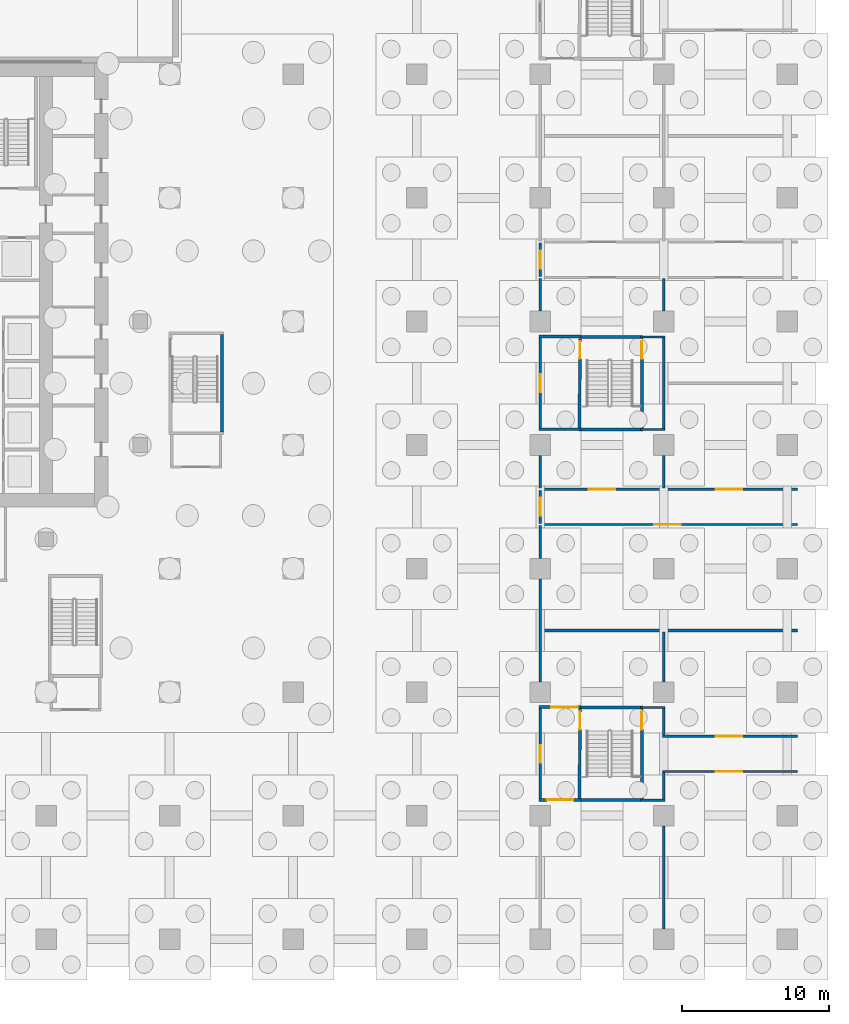
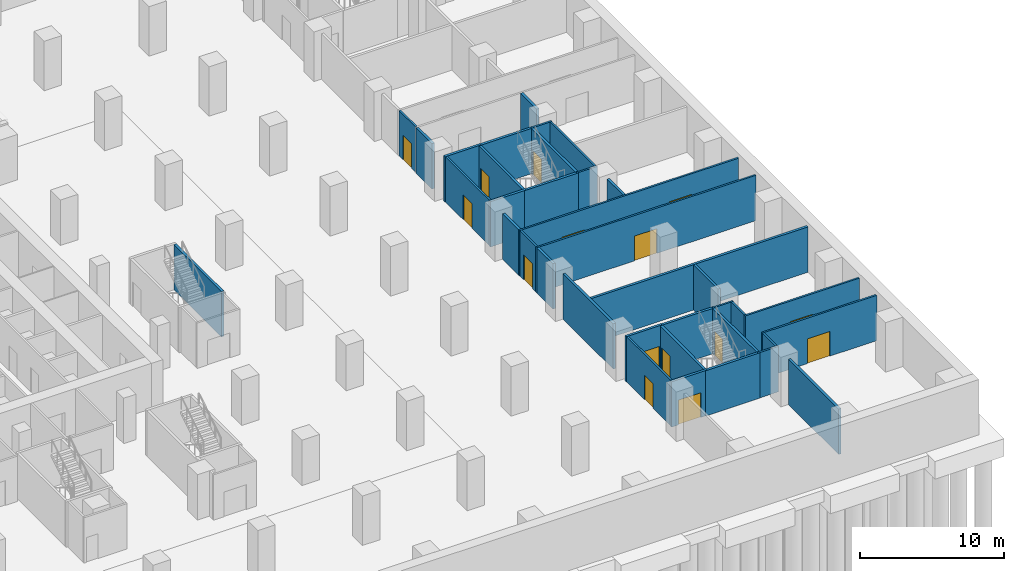
# One storey, part 13 of 22: 37 walls, 15 doors, 15 openings.
"""IFC4 building model written with IfcOpenShell, lengths in metres."""

from ifc_helpers import new_model, si_unit, direction, frame, frame_2d, origin, place, context, subcontext, project, spatial, rectangle, extrude, material, layer, layer_set, type_object, element, fill, save


model = new_model("IFC4")

# Units and contexts
model_context = context("Model", 3, precision=1e-05, world=origin(), true_north=direction((0.0, 1.0)))
body_context = subcontext(model_context, "Body", "Model", "MODEL_VIEW")
ifc_project = project(units=[si_unit("LENGTHUNIT", "METRE"), si_unit("AREAUNIT", "SQUARE_METRE"), si_unit("VOLUMEUNIT", "CUBIC_METRE"), si_unit("PLANEANGLEUNIT", "RADIAN"), si_unit("MASSUNIT", "GRAM", prefix="KILO")], contexts=[model_context])

# Site, building, storey
site_placement = place(None, origin())
site = spatial("IfcSite", under=ifc_project, at=site_placement, CompositionType="ELEMENT")
building_placement = place(site_placement, origin())
building = spatial("IfcBuilding", under=site, at=building_placement, Name="Vermilion Ogive Tower", CompositionType="ELEMENT")
storey_placement = place(building_placement, frame((0.0, 0.0, -8.39990234375)))
storey = spatial("IfcBuildingStorey", under=building, at=storey_placement, Name="B2", CompositionType="ELEMENT", Elevation=-8.39990234375)

# Wall
ifc_material_1 = material(Name="Gypsum board partition on steel studs", Category="steel")
ifc_layer_1 = layer(ifc_material_1, 0.14990234375)
ifc_layer_set_1 = layer_set([ifc_layer_1], Name="Partition 150 corridor")
wall_type_1 = type_object("IfcWallType", Name="Partition 150 corridor", PredefinedType="PARTITIONING", material=ifc_layer_set_1)
wall_1_placement = place(storey_placement, frame((48.824951171875, -28.35009765625, 0.0), z_axis=(0.0, 0.0, 1.0), x_axis=(1.0, 0.0, 0.0)))
element("IfcWall", 1, at=wall_1_placement, inside=storey, type_object=wall_type_1, Name="B2-PK-W-W003", PredefinedType="PARTITIONING", context=body_context, shape_type="SweptSolid", body=[
    extrude(rectangle(XDim=1.675048828125, YDim=0.14990234375, at=frame_2d((0.83740234375, 0.0))), origin(), (0.0, 0.0, 1.0), 3.849853515625),
])

# Wall, opening, door
wall_2_placement = place(storey_placement, frame((50.324951171875, -26.39990234375, 0.0), z_axis=(0.0, 0.0, 1.0), x_axis=(1.0, 0.0, 0.0)))
wall_2 = element("IfcWall", 2, at=wall_2_placement, inside=storey, type_object=wall_type_1, Name="B2-PK-W-W004", PredefinedType="PARTITIONING", context=body_context, shape_type="SweptSolid", body=[
    extrude(rectangle(XDim=9.174072265625, YDim=0.14990234375, at=frame_2d((4.5869140625, 0.0))), origin(), (0.0, 0.0, 1.0), 3.849853515625),
])
opening_1_placement = place(wall_2_placement, frame((3.625, 0.0, 0.0)))
opening_1 = element("IfcOpeningElement", 3, at=opening_1_placement, cuts=wall_2, Name="Opening PK2-33", PredefinedType="OPENING", context=body_context, shape_type="SweptSolid", body=[
    extrude(rectangle(XDim=1.800048828125, YDim=2.10009765625, at=frame_2d((0.89990234375, 1.050048828125))), frame((0.0, 0.0849609375, 0.0), z_axis=(0.0, -1.0, 0.0), x_axis=(1.0, 0.0, 0.0)), (0.0, 0.0, 1.0), 0.169921875),
])
ifc_material_2 = material(Name="Timber door leaf", Category="wood")
door_type_1 = type_object("IfcDoorType", Name="Plant door 1800 x 2100 FD30", OperationType="DOUBLE_DOOR_SINGLE_SWING", PredefinedType="DOOR", material=ifc_material_2)
door_1_placement = place(opening_1_placement, origin())
door_1 = element("IfcDoor", 4, at=door_1_placement, inside=storey, type_object=door_type_1, Name="B2-PK-D-D033", OperationType="DOUBLE_DOOR_SINGLE_SWING", OverallHeight=2.10009765625, OverallWidth=1.800048828125, PredefinedType="DOOR", context=body_context, shape_type="SweptSolid", body=[
    extrude(rectangle(XDim=1.800048828125, YDim=2.10009765625, at=frame_2d((0.89990234375, 1.050048828125))), frame((0.0, 0.02490234375, 0.0), z_axis=(0.0, -1.0, 0.0), x_axis=(1.0, 0.0, 0.0)), (0.0, 0.0, 1.0), 0.050048828125),
])
fill(opening_1, door_1)

wall_3_placement = place(storey_placement, frame((50.324951171875, -24.0, 0.0), z_axis=(0.0, 0.0, 1.0), x_axis=(1.0, 0.0, 0.0)))
wall_3 = element("IfcWall", 5, at=wall_3_placement, inside=storey, type_object=wall_type_1, Name="B2-PK-W-W005", PredefinedType="PARTITIONING", context=body_context, shape_type="SweptSolid", body=[
    extrude(rectangle(XDim=9.174072265625, YDim=0.14990234375, at=frame_2d((4.5869140625, 0.0))), origin(), (0.0, 0.0, 1.0), 3.849853515625),
])
opening_2_placement = place(wall_3_placement, frame((3.625, 0.0, 0.0)))
opening_2 = element("IfcOpeningElement", 6, at=opening_2_placement, cuts=wall_3, Name="Opening PK2-19", PredefinedType="OPENING", context=body_context, shape_type="SweptSolid", body=[
    extrude(rectangle(XDim=1.800048828125, YDim=2.10009765625, at=frame_2d((0.89990234375, 1.050048828125))), frame((0.0, 0.0849609375, 0.0), z_axis=(0.0, -1.0, 0.0), x_axis=(1.0, 0.0, 0.0)), (0.0, 0.0, 1.0), 0.169921875),
])
door_2_placement = place(opening_2_placement, origin())
door_2 = element("IfcDoor", 7, at=door_2_placement, inside=storey, type_object=door_type_1, Name="B2-PK-D-D019", OperationType="DOUBLE_DOOR_SINGLE_SWING", OverallHeight=2.10009765625, OverallWidth=1.800048828125, PredefinedType="DOOR", context=body_context, shape_type="SweptSolid", body=[
    extrude(rectangle(XDim=1.800048828125, YDim=2.10009765625, at=frame_2d((0.89990234375, 1.050048828125))), frame((0.0, 0.02490234375, 0.0), z_axis=(0.0, -1.0, 0.0), x_axis=(1.0, 0.0, 0.0)), (0.0, 0.0, 1.0), 0.050048828125),
])
fill(opening_2, door_2)

# Wall
wall_4_placement = place(storey_placement, frame((48.824951171875, -22.050048828125, 0.0), z_axis=(0.0, 0.0, 1.0), x_axis=(1.0, 0.0, 0.0)))
element("IfcWall", 8, at=wall_4_placement, inside=storey, type_object=wall_type_1, Name="B2-PK-W-W011", PredefinedType="PARTITIONING", context=body_context, shape_type="SweptSolid", body=[
    extrude(rectangle(XDim=1.675048828125, YDim=0.14990234375, at=frame_2d((0.83740234375, 0.0))), origin(), (0.0, 0.0, 1.0), 3.849853515625),
])

# Wall, opening, door
wall_5_placement = place(storey_placement, frame((41.89990234375, -9.60009765625, 0.0), z_axis=(0.0, 0.0, 1.0), x_axis=(1.0, 0.0, 0.0)))
wall_5 = element("IfcWall", 9, at=wall_5_placement, inside=storey, type_object=wall_type_1, Name="B2-PK-W-W015", PredefinedType="PARTITIONING", context=body_context, shape_type="SweptSolid", body=[
    extrude(rectangle(XDim=17.59912109375, YDim=0.14990234375, at=frame_2d((8.799560546875, 0.0))), origin(), (0.0, 0.0, 1.0), 3.849853515625),
])
opening_3_placement = place(wall_5_placement, frame((7.85009765625, 0.0, 0.0)))
opening_3 = element("IfcOpeningElement", 10, at=opening_3_placement, cuts=wall_5, Name="Opening PK2-20", PredefinedType="OPENING", context=body_context, shape_type="SweptSolid", body=[
    extrude(rectangle(XDim=1.800048828125, YDim=2.10009765625, at=frame_2d((0.89990234375, 1.050048828125))), frame((0.0, 0.0849609375, 0.0), z_axis=(0.0, -1.0, 0.0), x_axis=(1.0, 0.0, 0.0)), (0.0, 0.0, 1.0), 0.169921875),
])
door_3_placement = place(opening_3_placement, origin())
door_3 = element("IfcDoor", 11, at=door_3_placement, inside=storey, type_object=door_type_1, Name="B2-PK-D-D020", OperationType="DOUBLE_DOOR_SINGLE_SWING", OverallHeight=2.10009765625, OverallWidth=1.800048828125, PredefinedType="DOOR", context=body_context, shape_type="SweptSolid", body=[
    extrude(rectangle(XDim=1.800048828125, YDim=2.10009765625, at=frame_2d((0.89990234375, 1.050048828125))), frame((0.0, 0.02490234375, 0.0), z_axis=(0.0, -1.0, 0.0), x_axis=(1.0, 0.0, 0.0)), (0.0, 0.0, 1.0), 0.050048828125),
])
fill(opening_3, door_3)

# Wall, openings, doors
wall_6_placement = place(storey_placement, frame((41.89990234375, -7.199951171875, 0.0), z_axis=(0.0, 0.0, 1.0), x_axis=(1.0, 0.0, 0.0)))
wall_6 = element("IfcWall", 12, at=wall_6_placement, inside=storey, type_object=wall_type_1, Name="B2-PK-W-W016", PredefinedType="PARTITIONING", context=body_context, shape_type="SweptSolid", body=[
    extrude(rectangle(XDim=17.59912109375, YDim=0.14990234375, at=frame_2d((8.799560546875, 0.0))), origin(), (0.0, 0.0, 1.0), 3.849853515625),
])
opening_4_placement = place(wall_6_placement, frame((3.400146484375, 0.0, 0.0)))
opening_4 = element("IfcOpeningElement", 13, at=opening_4_placement, cuts=wall_6, Name="Opening PK2-21", PredefinedType="OPENING", context=body_context, shape_type="SweptSolid", body=[
    extrude(rectangle(XDim=1.800048828125, YDim=2.10009765625, at=frame_2d((0.89990234375, 1.050048828125))), frame((0.0, 0.0849609375, 0.0), z_axis=(0.0, -1.0, 0.0), x_axis=(1.0, 0.0, 0.0)), (0.0, 0.0, 1.0), 0.169921875),
])
opening_5_placement = place(wall_6_placement, frame((12.050048828125, 0.0, 0.0)))
opening_5 = element("IfcOpeningElement", 14, at=opening_5_placement, cuts=wall_6, Name="Opening PK2-22", PredefinedType="OPENING", context=body_context, shape_type="SweptSolid", body=[
    extrude(rectangle(XDim=1.800048828125, YDim=2.10009765625, at=frame_2d((0.89990234375, 1.050048828125))), frame((0.0, 0.0849609375, 0.0), z_axis=(0.0, -1.0, 0.0), x_axis=(1.0, 0.0, 0.0)), (0.0, 0.0, 1.0), 0.169921875),
])
door_4_placement = place(opening_4_placement, origin())
door_4 = element("IfcDoor", 15, at=door_4_placement, inside=storey, type_object=door_type_1, Name="B2-PK-D-D021", OperationType="DOUBLE_DOOR_SINGLE_SWING", OverallHeight=2.10009765625, OverallWidth=1.800048828125, PredefinedType="DOOR", context=body_context, shape_type="SweptSolid", body=[
    extrude(rectangle(XDim=1.800048828125, YDim=2.10009765625, at=frame_2d((0.89990234375, 1.050048828125))), frame((0.0, 0.02490234375, 0.0), z_axis=(0.0, -1.0, 0.0), x_axis=(1.0, 0.0, 0.0)), (0.0, 0.0, 1.0), 0.050048828125),
])
fill(opening_4, door_4)
door_5_placement = place(opening_5_placement, origin())
door_5 = element("IfcDoor", 16, at=door_5_placement, inside=storey, type_object=door_type_1, Name="B2-PK-D-D022", OperationType="DOUBLE_DOOR_SINGLE_SWING", OverallHeight=2.10009765625, OverallWidth=1.800048828125, PredefinedType="DOOR", context=body_context, shape_type="SweptSolid", body=[
    extrude(rectangle(XDim=1.800048828125, YDim=2.10009765625, at=frame_2d((0.89990234375, 1.050048828125))), frame((0.0, 0.02490234375, 0.0), z_axis=(0.0, -1.0, 0.0), x_axis=(1.0, 0.0, 0.0)), (0.0, 0.0, 1.0), 0.050048828125),
])
fill(opening_5, door_5)

# Walls
for number, where, z_axis, x_axis, name in (
    (17, (48.824951171875, -3.14990234375, 0.0), (0.0, 0.0, 1.0), (1.0, 0.0, 0.0), "B2-PK-W-W021"),
    (18, (48.824951171875, 3.14990234375, 0.0), (0.0, 0.0, 1.0), (1.0, 0.0, 0.0), "B2-PK-W-W025"),
):
    element("IfcWall", number, at=place(storey_placement, frame(where, z_axis=z_axis, x_axis=x_axis)), inside=storey, type_object=wall_type_1, Name=name, PredefinedType="PARTITIONING", context=body_context, shape_type="SweptSolid", body=[
        extrude(rectangle(XDim=1.675048828125, YDim=0.14990234375, at=frame_2d((0.83740234375, 0.0))), origin(), (0.0, 0.0, 1.0), 3.849853515625),
    ])

# Wall, opening, door
wall_7_placement = place(storey_placement, frame((42.0, -28.27490234375, 0.0), z_axis=(0.0, 0.0, 1.0), x_axis=(0.0, 1.0, 0.0)))
wall_7 = element("IfcWall", 19, at=wall_7_placement, inside=storey, type_object=wall_type_1, Name="B2-PK-W-W052", PredefinedType="PARTITIONING", context=body_context, shape_type="SweptSolid", body=[
    extrude(rectangle(XDim=6.14990234375, YDim=0.14990234375, at=frame_2d((3.074951171875, 0.0))), origin(), (0.0, 0.0, 1.0), 3.849853515625),
])
opening_6_placement = place(wall_7_placement, frame((2.474853515625, 0.0, 0.0)))
opening_6 = element("IfcOpeningElement", 20, at=opening_6_placement, cuts=wall_7, Name="Opening PK2-14", PredefinedType="OPENING", context=body_context, shape_type="SweptSolid", body=[
    extrude(rectangle(XDim=1.199951171875, YDim=2.10009765625, at=frame_2d((0.60009765625, 1.050048828125))), frame((0.0, 0.0849609375, 0.0), z_axis=(0.0, -1.0, 0.0), x_axis=(1.0, 0.0, 0.0)), (0.0, 0.0, 1.0), 0.169921875),
])
ifc_material_3 = material(Name="Timber door leaf", Category="wood")
door_type_2 = type_object("IfcDoorType", Name="Stair door 1200 x 2100 FD60S", OperationType="SINGLE_SWING_LEFT", PredefinedType="DOOR", material=ifc_material_3)
door_6_placement = place(opening_6_placement, origin())
door_6 = element("IfcDoor", 21, at=door_6_placement, inside=storey, type_object=door_type_2, Name="B2-PK-D-D014", OperationType="DOUBLE_DOOR_SINGLE_SWING", OverallHeight=2.10009765625, OverallWidth=1.199951171875, PredefinedType="DOOR", context=body_context, shape_type="SweptSolid", body=[
    extrude(rectangle(XDim=1.199951171875, YDim=2.10009765625, at=frame_2d((0.60009765625, 1.050048828125))), frame((0.0, 0.02490234375, 0.0), z_axis=(0.0, -1.0, 0.0), x_axis=(1.0, 0.0, 0.0)), (0.0, 0.0, 1.0), 0.050048828125),
])
fill(opening_6, door_6)

wall_8_placement = place(storey_placement, frame((42.0, -9.52490234375, 0.0), z_axis=(0.0, 0.0, 1.0), x_axis=(0.0, 1.0, 0.0)))
wall_8 = element("IfcWall", 22, at=wall_8_placement, inside=storey, type_object=wall_type_1, Name="B2-PK-W-W054", PredefinedType="PARTITIONING", context=body_context, shape_type="SweptSolid", body=[
    extrude(rectangle(XDim=2.25, YDim=0.14990234375, at=frame_2d((1.125, 0.0))), origin(), (0.0, 0.0, 1.0), 3.849853515625),
])
opening_7_placement = place(wall_8_placement, frame((0.52490234375, 0.0, 0.0)))
opening_7 = element("IfcOpeningElement", 23, at=opening_7_placement, cuts=wall_8, Name="Opening PK2-31", PredefinedType="OPENING", context=body_context, shape_type="SweptSolid", body=[
    extrude(rectangle(XDim=1.199951171875, YDim=2.10009765625, at=frame_2d((0.60009765625, 1.050048828125))), frame((0.0, 0.0849609375, 0.0), z_axis=(0.0, -1.0, 0.0), x_axis=(1.0, 0.0, 0.0)), (0.0, 0.0, 1.0), 0.169921875),
])
ifc_material_4 = material(Name="Timber door leaf", Category="wood")
door_type_3 = type_object("IfcDoorType", Name="Fire door 1200 x 2100 FD30", OperationType="SINGLE_SWING_LEFT", PredefinedType="DOOR", material=ifc_material_4)
door_7_placement = place(opening_7_placement, origin())
door_7 = element("IfcDoor", 24, at=door_7_placement, inside=storey, type_object=door_type_3, Name="B2-PK-D-D031", OperationType="SINGLE_SWING_RIGHT", OverallHeight=2.10009765625, OverallWidth=1.199951171875, PredefinedType="DOOR", context=body_context, shape_type="SweptSolid", body=[
    extrude(rectangle(XDim=1.199951171875, YDim=2.10009765625, at=frame_2d((0.60009765625, 1.050048828125))), frame((0.0, 0.02490234375, 0.0), z_axis=(0.0, -1.0, 0.0), x_axis=(1.0, 0.0, 0.0)), (0.0, 0.0, 1.0), 0.050048828125),
])
fill(opening_7, door_7)

wall_9_placement = place(storey_placement, frame((42.0, -3.074951171875, 0.0), z_axis=(0.0, 0.0, 1.0), x_axis=(0.0, 1.0, 0.0)))
wall_9 = element("IfcWall", 25, at=wall_9_placement, inside=storey, type_object=wall_type_1, Name="B2-PK-W-W056", PredefinedType="PARTITIONING", context=body_context, shape_type="SweptSolid", body=[
    extrude(rectangle(XDim=6.14990234375, YDim=0.14990234375, at=frame_2d((3.074951171875, 0.0))), origin(), (0.0, 0.0, 1.0), 3.849853515625),
])
opening_8_placement = place(wall_9_placement, frame((2.474853515625, 0.0, 0.0)))
opening_8 = element("IfcOpeningElement", 26, at=opening_8_placement, cuts=wall_9, Name="Opening PK2-08", PredefinedType="OPENING", context=body_context, shape_type="SweptSolid", body=[
    extrude(rectangle(XDim=1.199951171875, YDim=2.10009765625, at=frame_2d((0.60009765625, 1.050048828125))), frame((0.0, 0.0849609375, 0.0), z_axis=(0.0, -1.0, 0.0), x_axis=(1.0, 0.0, 0.0)), (0.0, 0.0, 1.0), 0.169921875),
])
door_8_placement = place(opening_8_placement, origin())
door_8 = element("IfcDoor", 27, at=door_8_placement, inside=storey, type_object=door_type_2, Name="B2-PK-D-D008", OperationType="DOUBLE_DOOR_SINGLE_SWING", OverallHeight=2.10009765625, OverallWidth=1.199951171875, PredefinedType="DOOR", context=body_context, shape_type="SweptSolid", body=[
    extrude(rectangle(XDim=1.199951171875, YDim=2.10009765625, at=frame_2d((0.60009765625, 1.050048828125))), frame((0.0, 0.02490234375, 0.0), z_axis=(0.0, -1.0, 0.0), x_axis=(1.0, 0.0, 0.0)), (0.0, 0.0, 1.0), 0.050048828125),
])
fill(opening_8, door_8)

wall_10_placement = place(storey_placement, frame((42.0, 7.27490234375, 0.0), z_axis=(0.0, 0.0, 1.0), x_axis=(0.0, 1.0, 0.0)))
wall_10 = element("IfcWall", 28, at=wall_10_placement, inside=storey, type_object=wall_type_1, Name="B2-PK-W-W058", PredefinedType="PARTITIONING", context=body_context, shape_type="SweptSolid", body=[
    extrude(rectangle(XDim=2.25, YDim=0.14990234375, at=frame_2d((1.125, 0.0))), origin(), (0.0, 0.0, 1.0), 3.849853515625),
])
opening_9_placement = place(wall_10_placement, frame((0.525146484375, 0.0, 0.0)))
opening_9 = element("IfcOpeningElement", 29, at=opening_9_placement, cuts=wall_10, Name="Opening PK2-32", PredefinedType="OPENING", context=body_context, shape_type="SweptSolid", body=[
    extrude(rectangle(XDim=1.199951171875, YDim=2.10009765625, at=frame_2d((0.60009765625, 1.050048828125))), frame((0.0, 0.0849609375, 0.0), z_axis=(0.0, -1.0, 0.0), x_axis=(1.0, 0.0, 0.0)), (0.0, 0.0, 1.0), 0.169921875),
])
door_9_placement = place(opening_9_placement, origin())
door_9 = element("IfcDoor", 30, at=door_9_placement, inside=storey, type_object=door_type_3, Name="B2-PK-D-D032", OperationType="SINGLE_SWING_LEFT", OverallHeight=2.10009765625, OverallWidth=1.199951171875, PredefinedType="DOOR", context=body_context, shape_type="SweptSolid", body=[
    extrude(rectangle(XDim=1.199951171875, YDim=2.10009765625, at=frame_2d((0.60009765625, 1.050048828125))), frame((0.0, 0.02490234375, 0.0), z_axis=(0.0, -1.0, 0.0), x_axis=(1.0, 0.0, 0.0)), (0.0, 0.0, 1.0), 0.050048828125),
])
fill(opening_9, door_9)

# Walls
wall_11_placement = place(storey_placement, frame((50.39990234375, -28.27490234375, 0.0), z_axis=(0.0, 0.0, 1.0), x_axis=(0.0, 1.0, 0.0)))
element("IfcWall", 31, at=wall_11_placement, inside=storey, type_object=wall_type_1, Name="B2-PK-W-W069", PredefinedType="PARTITIONING", context=body_context, shape_type="SweptSolid", body=[
    extrude(rectangle(XDim=1.7998046875, YDim=0.14990234375, at=frame_2d((0.89990234375, 0.0))), origin(), (0.0, 0.0, 1.0), 3.849853515625),
])
wall_12_placement = place(storey_placement, frame((50.39990234375, -23.925048828125, 0.0), z_axis=(0.0, 0.0, 1.0), x_axis=(0.0, 1.0, 0.0)))
element("IfcWall", 32, at=wall_12_placement, inside=storey, type_object=wall_type_1, Name="B2-PK-W-W070", PredefinedType="PARTITIONING", context=body_context, shape_type="SweptSolid", body=[
    extrude(rectangle(XDim=1.800048828125, YDim=0.14990234375, at=frame_2d((0.89990234375, 0.0))), origin(), (0.0, 0.0, 1.0), 3.849853515625),
])
wall_13_placement = place(storey_placement, frame((50.39990234375, -3.074951171875, 0.0), z_axis=(0.0, 0.0, 1.0), x_axis=(0.0, 1.0, 0.0)))
element("IfcWall", 33, at=wall_13_placement, inside=storey, type_object=wall_type_1, Name="B2-PK-W-W073", PredefinedType="PARTITIONING", context=body_context, shape_type="SweptSolid", body=[
    extrude(rectangle(XDim=6.14990234375, YDim=0.14990234375, at=frame_2d((3.074951171875, 0.0))), origin(), (0.0, 0.0, 1.0), 3.849853515625),
])
ifc_material_5 = material(Name="Gypsum board partition on steel studs", Category="steel")
ifc_layer_2 = layer(ifc_material_5, 0.199951171875)
ifc_layer_set_2 = layer_set([ifc_layer_2], Name="Partition 200 party")
wall_type_2 = type_object("IfcWallType", Name="Partition 200 party", PredefinedType="PARTITIONING", material=ifc_layer_set_2)
wall_14_placement = place(storey_placement, frame((42.10009765625, -16.800048828125, 0.0), z_axis=(0.0, 0.0, 1.0), x_axis=(1.0, 0.0, 0.0)))
element("IfcWall", 34, at=wall_14_placement, inside=storey, type_object=wall_type_2, Name="B2-PK-W-W012", PredefinedType="PARTITIONING", context=body_context, shape_type="SweptSolid", body=[
    extrude(rectangle(XDim=17.39892578125, YDim=0.199951171875, at=frame_2d((8.699462890625, 0.0))), origin(), (0.0, 0.0, 1.0), 3.849853515625),
])
wall_15_placement = place(storey_placement, frame((42.0, -20.300048828125, 0.0), z_axis=(0.0, 0.0, 1.0), x_axis=(0.0, 1.0, 0.0)))
element("IfcWall", 35, at=wall_15_placement, inside=storey, type_object=wall_type_2, Name="B2-PK-W-W053a", PredefinedType="PARTITIONING", context=body_context, shape_type="SweptSolid", body=[
    extrude(rectangle(XDim=7.0, YDim=0.199951171875, at=frame_2d((3.5, 0.0))), origin(), (0.0, 0.0, 1.0), 3.849853515625),
])
wall_16_placement = place(storey_placement, frame((42.0, -11.89990234375, 0.0), z_axis=(0.0, 0.0, 1.0), x_axis=(0.0, 1.0, 0.0)))
element("IfcWall", 36, at=wall_16_placement, inside=storey, type_object=wall_type_2, Name="B2-PK-W-W053b", PredefinedType="PARTITIONING", context=body_context, shape_type="SweptSolid", body=[
    extrude(rectangle(XDim=2.224853515625, YDim=0.199951171875, at=frame_2d((1.1123046875, 0.0))), origin(), (0.0, 0.0, 1.0), 3.849853515625),
])
for number, where, z_axis, x_axis, name in (
    (37, (42.0, -7.125, 0.0), (0.0, 0.0, 1.0), (0.0, 1.0, 0.0), "B2-PK-W-W055a"),
    (38, (42.0, 4.89990234375, 0.0), (0.0, 0.0, 1.0), (0.0, 1.0, 0.0), "B2-PK-W-W057a"),
):
    element("IfcWall", number, at=place(storey_placement, frame(where, z_axis=z_axis, x_axis=x_axis)), inside=storey, type_object=wall_type_2, Name=name, PredefinedType="PARTITIONING", context=body_context, shape_type="SweptSolid", body=[
        extrude(rectangle(XDim=2.22509765625, YDim=0.199951171875, at=frame_2d((1.112548828125, 0.0))), origin(), (0.0, 0.0, 1.0), 3.849853515625),
    ])
wall_17_placement = place(storey_placement, frame((50.39990234375, -37.10009765625, 0.0), z_axis=(0.0, 0.0, 1.0), x_axis=(0.0, 1.0, 0.0)))
element("IfcWall", 39, at=wall_17_placement, inside=storey, type_object=wall_type_2, Name="B2-PK-W-W068a", PredefinedType="PARTITIONING", context=body_context, shape_type="SweptSolid", body=[
    extrude(rectangle(XDim=7.0, YDim=0.199951171875, at=frame_2d((3.5, 0.0))), origin(), (0.0, 0.0, 1.0), 3.849853515625),
])
wall_18_placement = place(storey_placement, frame((50.39990234375, -20.300048828125, 0.0), z_axis=(0.0, 0.0, 1.0), x_axis=(0.0, 1.0, 0.0)))
element("IfcWall", 40, at=wall_18_placement, inside=storey, type_object=wall_type_2, Name="B2-PK-W-W071a", PredefinedType="PARTITIONING", context=body_context, shape_type="SweptSolid", body=[
    extrude(rectangle(XDim=3.400146484375, YDim=0.199951171875, at=frame_2d((1.7001953125, 0.0))), origin(), (0.0, 0.0, 1.0), 3.849853515625),
])
for number, where, z_axis, x_axis, name in (
    (41, (50.39990234375, -7.125, 0.0), (0.0, 0.0, 1.0), (0.0, 1.0, 0.0), "B2-PK-W-W072a"),
    (42, (50.39990234375, 4.89990234375, 0.0), (0.0, 0.0, 1.0), (0.0, 1.0, 0.0), "B2-PK-W-W074a"),
):
    element("IfcWall", number, at=place(storey_placement, frame(where, z_axis=z_axis, x_axis=x_axis)), inside=storey, type_object=wall_type_2, Name=name, PredefinedType="PARTITIONING", context=body_context, shape_type="SweptSolid", body=[
        extrude(rectangle(XDim=2.22509765625, YDim=0.199951171875, at=frame_2d((1.112548828125, 0.0))), origin(), (0.0, 0.0, 1.0), 3.849853515625),
    ])

# Wall, opening, door
ifc_material_6 = material(Name="Concrete B60", Category="concrete")
ifc_layer_3 = layer(ifc_material_6, 0.199951171875)
ifc_layer_set_3 = layer_set([ifc_layer_3], Name="Stair shaft wall 200 Concrete B60")
wall_type_3 = type_object("IfcWallType", Name="Stair shaft wall 200 Concrete B60", PredefinedType="SOLIDWALL", material=ifc_layer_set_3)
wall_19_placement = place(storey_placement, frame((41.89990234375, -28.3251953125, 0.0), z_axis=(0.0, 0.0, 1.0), x_axis=(1.0, 0.0, 0.0)))
wall_19 = element("IfcWall", 43, at=wall_19_placement, inside=storey, type_object=wall_type_3, Name="B2-PK-W-W001", PredefinedType="SOLIDWALL", context=body_context, shape_type="SweptSolid", body=[
    extrude(rectangle(XDim=2.875, YDim=0.199951171875, at=frame_2d((1.4375, 0.0))), origin(), (0.0, 0.0, 1.0), 3.849853515625),
])
opening_10_placement = place(wall_19_placement, frame((0.550048828125, 0.0, 0.0)))
opening_10 = element("IfcOpeningElement", 44, at=opening_10_placement, cuts=wall_19, Name="Opening PK2-17", PredefinedType="OPENING", context=body_context, shape_type="SweptSolid", body=[
    extrude(rectangle(XDim=1.800048828125, YDim=2.10009765625, at=frame_2d((0.89990234375, 1.050048828125))), frame((0.0, 0.10986328125, 0.0), z_axis=(0.0, -1.0, 0.0), x_axis=(1.0, 0.0, 0.0)), (0.0, 0.0, 1.0), 0.219970703125),
])
door_10_placement = place(opening_10_placement, origin())
door_10 = element("IfcDoor", 45, at=door_10_placement, inside=storey, type_object=door_type_1, Name="B2-PK-D-D017", OperationType="DOUBLE_DOOR_SINGLE_SWING", OverallHeight=2.10009765625, OverallWidth=1.800048828125, PredefinedType="DOOR", context=body_context, shape_type="SweptSolid", body=[
    extrude(rectangle(XDim=1.800048828125, YDim=2.10009765625, at=frame_2d((0.89990234375, 1.050048828125))), frame((0.0, 0.02490234375, 0.0), z_axis=(0.0, -1.0, 0.0), x_axis=(1.0, 0.0, 0.0)), (0.0, 0.0, 1.0), 0.050048828125),
])
fill(opening_10, door_10)

# Wall
wall_20_placement = place(storey_placement, frame((44.625, -28.35009765625, 0.0), z_axis=(0.0, 0.0, 1.0), x_axis=(1.0, 0.0, 0.0)))
element("IfcWall", 46, at=wall_20_placement, inside=storey, type_object=wall_type_3, Name="B2-PK-W-W002", PredefinedType="SOLIDWALL", context=body_context, shape_type="SweptSolid", body=[
    extrude(rectangle(XDim=4.35009765625, YDim=0.199951171875, at=frame_2d((2.175048828125, 0.0))), origin(), (0.0, 0.0, 1.0), 3.849853515625),
])

# Wall, opening, door
wall_21_placement = place(storey_placement, frame((41.89990234375, -22.025146484375, 0.0), z_axis=(0.0, 0.0, 1.0), x_axis=(1.0, 0.0, 0.0)))
wall_21 = element("IfcWall", 47, at=wall_21_placement, inside=storey, type_object=wall_type_3, Name="B2-PK-W-W009", PredefinedType="SOLIDWALL", context=body_context, shape_type="SweptSolid", body=[
    extrude(rectangle(XDim=2.875, YDim=0.199951171875, at=frame_2d((1.4375, 0.0))), origin(), (0.0, 0.0, 1.0), 3.849853515625),
])
opening_11_placement = place(wall_21_placement, frame((0.85009765625, 0.0, 0.0)))
opening_11 = element("IfcOpeningElement", 48, at=opening_11_placement, cuts=wall_21, Name="Opening PK2-18", PredefinedType="OPENING", context=body_context, shape_type="SweptSolid", body=[
    extrude(rectangle(XDim=1.800048828125, YDim=2.10009765625, at=frame_2d((0.89990234375, 1.050048828125))), frame((0.0, 0.10986328125, 0.0), z_axis=(0.0, -1.0, 0.0), x_axis=(1.0, 0.0, 0.0)), (0.0, 0.0, 1.0), 0.219970703125),
])
door_11_placement = place(opening_11_placement, origin())
door_11 = element("IfcDoor", 49, at=door_11_placement, inside=storey, type_object=door_type_1, Name="B2-PK-D-D018", OperationType="DOUBLE_DOOR_SINGLE_SWING", OverallHeight=2.10009765625, OverallWidth=1.800048828125, PredefinedType="DOOR", context=body_context, shape_type="SweptSolid", body=[
    extrude(rectangle(XDim=1.800048828125, YDim=2.10009765625, at=frame_2d((0.89990234375, 1.050048828125))), frame((0.0, 0.02490234375, 0.0), z_axis=(0.0, -1.0, 0.0), x_axis=(1.0, 0.0, 0.0)), (0.0, 0.0, 1.0), 0.050048828125),
])
fill(opening_11, door_11)

# Walls
wall_22_placement = place(storey_placement, frame((44.625, -22.050048828125, 0.0), z_axis=(0.0, 0.0, 1.0), x_axis=(1.0, 0.0, 0.0)))
element("IfcWall", 50, at=wall_22_placement, inside=storey, type_object=wall_type_3, Name="B2-PK-W-W010", PredefinedType="SOLIDWALL", context=body_context, shape_type="SweptSolid", body=[
    extrude(rectangle(XDim=4.35009765625, YDim=0.199951171875, at=frame_2d((2.175048828125, 0.0))), origin(), (0.0, 0.0, 1.0), 3.849853515625),
])
wall_23_placement = place(storey_placement, frame((41.89990234375, -3.125, 0.0), z_axis=(0.0, 0.0, 1.0), x_axis=(1.0, 0.0, 0.0)))
element("IfcWall", 51, at=wall_23_placement, inside=storey, type_object=wall_type_3, Name="B2-PK-W-W019", PredefinedType="SOLIDWALL", context=body_context, shape_type="SweptSolid", body=[
    extrude(rectangle(XDim=2.875, YDim=0.199951171875, at=frame_2d((1.4375, 0.0))), origin(), (0.0, 0.0, 1.0), 3.849853515625),
])
wall_24_placement = place(storey_placement, frame((44.625, -3.14990234375, 0.0), z_axis=(0.0, 0.0, 1.0), x_axis=(1.0, 0.0, 0.0)))
element("IfcWall", 52, at=wall_24_placement, inside=storey, type_object=wall_type_3, Name="B2-PK-W-W020", PredefinedType="SOLIDWALL", context=body_context, shape_type="SweptSolid", body=[
    extrude(rectangle(XDim=4.35009765625, YDim=0.199951171875, at=frame_2d((2.175048828125, 0.0))), origin(), (0.0, 0.0, 1.0), 3.849853515625),
])
wall_25_placement = place(storey_placement, frame((41.89990234375, 3.1748046875, 0.0), z_axis=(0.0, 0.0, 1.0), x_axis=(1.0, 0.0, 0.0)))
element("IfcWall", 53, at=wall_25_placement, inside=storey, type_object=wall_type_3, Name="B2-PK-W-W023", PredefinedType="SOLIDWALL", context=body_context, shape_type="SweptSolid", body=[
    extrude(rectangle(XDim=2.875, YDim=0.199951171875, at=frame_2d((1.4375, 0.0))), origin(), (0.0, 0.0, 1.0), 3.849853515625),
])
wall_26_placement = place(storey_placement, frame((44.625, 3.14990234375, 0.0), z_axis=(0.0, 0.0, 1.0), x_axis=(1.0, 0.0, 0.0)))
element("IfcWall", 54, at=wall_26_placement, inside=storey, type_object=wall_type_3, Name="B2-PK-W-W024", PredefinedType="SOLIDWALL", context=body_context, shape_type="SweptSolid", body=[
    extrude(rectangle(XDim=4.35009765625, YDim=0.199951171875, at=frame_2d((2.175048828125, 0.0))), origin(), (0.0, 0.0, 1.0), 3.849853515625),
])

# Wall, opening, door
wall_27_placement = place(storey_placement, frame((44.675048828125, -28.25, 0.0), z_axis=(0.0, 0.0, 1.0), x_axis=(0.004098985015, 0.999991599126, 0.0)))
wall_27 = element("IfcWall", 55, at=wall_27_placement, inside=storey, type_object=wall_type_3, Name="B2-PK-W-W062", PredefinedType="SOLIDWALL", context=body_context, shape_type="SweptSolid", body=[
    extrude(rectangle(XDim=6.0751953125, YDim=0.199951171875, at=frame_2d((3.03759765625, 0.0))), origin(), (0.0, 0.0, 1.0), 3.849853515625),
])
opening_12_placement = place(wall_27_placement, frame((4.7001953125, 0.0, 0.0)))
opening_12 = element("IfcOpeningElement", 56, at=opening_12_placement, cuts=wall_27, Name="Opening PK2-15", PredefinedType="OPENING", context=body_context, shape_type="SweptSolid", body=[
    extrude(rectangle(XDim=1.199951171875, YDim=2.10009765625, at=frame_2d((0.60009765625, 1.050048828125))), frame((0.0, 0.10986328125, 0.0), z_axis=(0.0, -1.0, 0.0), x_axis=(1.0, 0.0, 0.0)), (0.0, 0.0, 1.0), 0.219970703125),
])
door_12_placement = place(opening_12_placement, origin())
door_12 = element("IfcDoor", 57, at=door_12_placement, inside=storey, type_object=door_type_2, Name="B2-PK-D-D015", OperationType="DOUBLE_DOOR_SINGLE_SWING", OverallHeight=2.10009765625, OverallWidth=1.199951171875, PredefinedType="DOOR", context=body_context, shape_type="SweptSolid", body=[
    extrude(rectangle(XDim=1.199951171875, YDim=2.10009765625, at=frame_2d((0.60009765625, 1.050048828125))), frame((0.0, 0.02490234375, 0.0), z_axis=(0.0, -1.0, 0.0), x_axis=(1.0, 0.0, 0.0)), (0.0, 0.0, 1.0), 0.050048828125),
])
fill(opening_12, door_12)

wall_28_placement = place(storey_placement, frame((44.675048828125, -3.050048828125, 0.0), z_axis=(0.0, 0.0, 1.0), x_axis=(0.004098985015, 0.999991599126, 0.0)))
wall_28 = element("IfcWall", 58, at=wall_28_placement, inside=storey, type_object=wall_type_3, Name="B2-PK-W-W063", PredefinedType="SOLIDWALL", context=body_context, shape_type="SweptSolid", body=[
    extrude(rectangle(XDim=6.0751953125, YDim=0.199951171875, at=frame_2d((3.03759765625, 0.0))), origin(), (0.0, 0.0, 1.0), 3.849853515625),
])
opening_13_placement = place(wall_28_placement, frame((4.7001953125, 0.0, 0.0)))
opening_13 = element("IfcOpeningElement", 59, at=opening_13_placement, cuts=wall_28, Name="Opening PK2-09", PredefinedType="OPENING", context=body_context, shape_type="SweptSolid", body=[
    extrude(rectangle(XDim=1.199951171875, YDim=2.10009765625, at=frame_2d((0.60009765625, 1.050048828125))), frame((0.0, 0.10986328125, 0.0), z_axis=(0.0, -1.0, 0.0), x_axis=(1.0, 0.0, 0.0)), (0.0, 0.0, 1.0), 0.219970703125),
])
door_13_placement = place(opening_13_placement, origin())
door_13 = element("IfcDoor", 60, at=door_13_placement, inside=storey, type_object=door_type_2, Name="B2-PK-D-D009", OperationType="DOUBLE_DOOR_SINGLE_SWING", OverallHeight=2.10009765625, OverallWidth=1.199951171875, PredefinedType="DOOR", context=body_context, shape_type="SweptSolid", body=[
    extrude(rectangle(XDim=1.199951171875, YDim=2.10009765625, at=frame_2d((0.60009765625, 1.050048828125))), frame((0.0, 0.02490234375, 0.0), z_axis=(0.0, -1.0, 0.0), x_axis=(1.0, 0.0, 0.0)), (0.0, 0.0, 1.0), 0.050048828125),
])
fill(opening_13, door_13)

wall_29_placement = place(storey_placement, frame((48.9248046875, -28.25, 0.0), z_axis=(0.0, 0.0, 1.0), x_axis=(-0.004065655173, 0.99999173519, 0.0)))
wall_29 = element("IfcWall", 61, at=wall_29_placement, inside=storey, type_object=wall_type_3, Name="B2-PK-W-W065", PredefinedType="SOLIDWALL", context=body_context, shape_type="SweptSolid", body=[
    extrude(rectangle(XDim=6.125, YDim=0.199951171875, at=frame_2d((3.0625, 0.0))), origin(), (0.0, 0.0, 1.0), 3.849853515625),
])
opening_14_placement = place(wall_29_placement, frame((4.7001953125, 0.0, 0.0)))
opening_14 = element("IfcOpeningElement", 62, at=opening_14_placement, cuts=wall_29, Name="Opening PK2-16", PredefinedType="OPENING", context=body_context, shape_type="SweptSolid", body=[
    extrude(rectangle(XDim=1.199951171875, YDim=2.10009765625, at=frame_2d((0.60009765625, 1.050048828125))), frame((0.0, 0.10986328125, 0.0), z_axis=(0.0, -1.0, 0.0), x_axis=(1.0, 0.0, 0.0)), (0.0, 0.0, 1.0), 0.219970703125),
])
door_14_placement = place(opening_14_placement, origin())
door_14 = element("IfcDoor", 63, at=door_14_placement, inside=storey, type_object=door_type_2, Name="B2-PK-D-D016", OperationType="DOUBLE_DOOR_SINGLE_SWING", OverallHeight=2.10009765625, OverallWidth=1.199951171875, PredefinedType="DOOR", context=body_context, shape_type="SweptSolid", body=[
    extrude(rectangle(XDim=1.199951171875, YDim=2.10009765625, at=frame_2d((0.60009765625, 1.050048828125))), frame((0.0, 0.02490234375, 0.0), z_axis=(0.0, -1.0, 0.0), x_axis=(1.0, 0.0, 0.0)), (0.0, 0.0, 1.0), 0.050048828125),
])
fill(opening_14, door_14)

wall_30_placement = place(storey_placement, frame((48.9248046875, -3.050048828125, 0.0), z_axis=(0.0, 0.0, 1.0), x_axis=(-0.004065655173, 0.99999173519, 0.0)))
wall_30 = element("IfcWall", 64, at=wall_30_placement, inside=storey, type_object=wall_type_3, Name="B2-PK-W-W066", PredefinedType="SOLIDWALL", context=body_context, shape_type="SweptSolid", body=[
    extrude(rectangle(XDim=6.125, YDim=0.199951171875, at=frame_2d((3.0625, 0.0))), origin(), (0.0, 0.0, 1.0), 3.849853515625),
])
opening_15_placement = place(wall_30_placement, frame((4.7001953125, 0.0, 0.0)))
opening_15 = element("IfcOpeningElement", 65, at=opening_15_placement, cuts=wall_30, Name="Opening PK2-10", PredefinedType="OPENING", context=body_context, shape_type="SweptSolid", body=[
    extrude(rectangle(XDim=1.199951171875, YDim=2.10009765625, at=frame_2d((0.60009765625, 1.050048828125))), frame((0.0, 0.10986328125, 0.0), z_axis=(0.0, -1.0, 0.0), x_axis=(1.0, 0.0, 0.0)), (0.0, 0.0, 1.0), 0.219970703125),
])
door_15_placement = place(opening_15_placement, origin())
door_15 = element("IfcDoor", 66, at=door_15_placement, inside=storey, type_object=door_type_2, Name="B2-PK-D-D010", OperationType="DOUBLE_DOOR_SINGLE_SWING", OverallHeight=2.10009765625, OverallWidth=1.199951171875, PredefinedType="DOOR", context=body_context, shape_type="SweptSolid", body=[
    extrude(rectangle(XDim=1.199951171875, YDim=2.10009765625, at=frame_2d((0.60009765625, 1.050048828125))), frame((0.0, 0.02490234375, 0.0), z_axis=(0.0, -1.0, 0.0), x_axis=(1.0, 0.0, 0.0)), (0.0, 0.0, 1.0), 0.050048828125),
])
fill(opening_15, door_15)

# Wall
wall_31_placement = place(storey_placement, frame((20.35009765625, -3.300048828125, 0.0), z_axis=(0.0, 0.0, 1.0), x_axis=(0.0, 1.0, 0.0)))
element("IfcWall", 67, at=wall_31_placement, inside=storey, type_object=wall_type_3, Name="B2-SW-ST8-E1", PredefinedType="SOLIDWALL", context=body_context, shape_type="SweptSolid", body=[
    extrude(rectangle(XDim=6.60009765625, YDim=0.199951171875, at=frame_2d((3.300048828125, 0.0))), origin(), (0.0, 0.0, 1.0), 3.849853515625),
])

save(model, "model.ifc")
